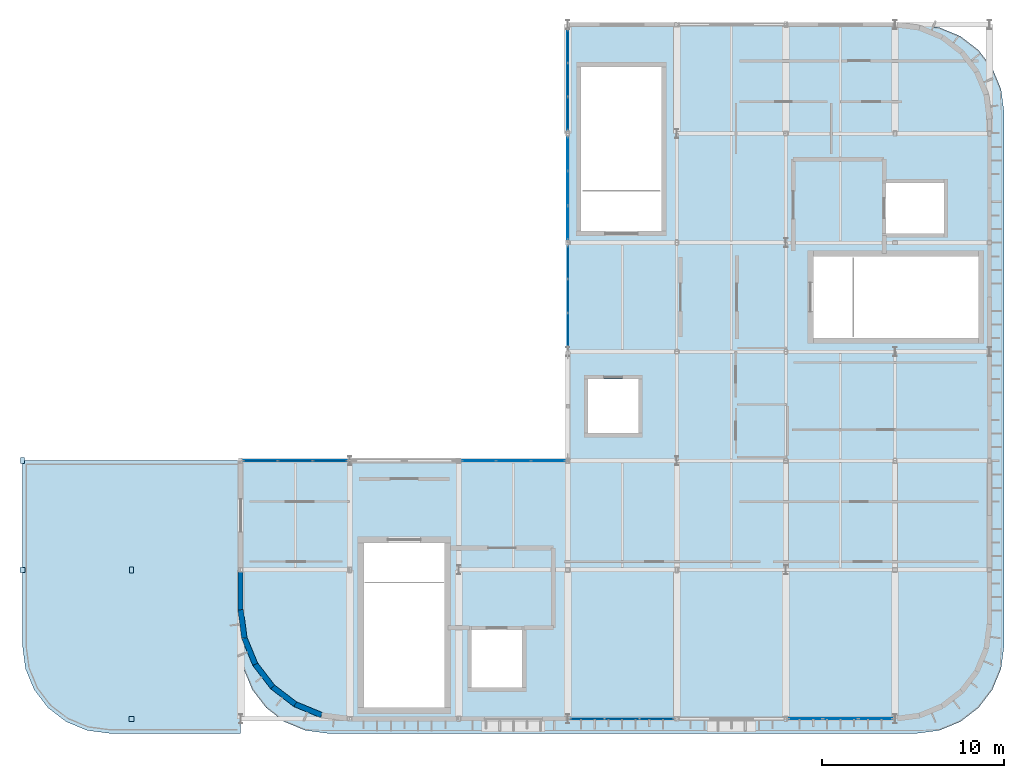
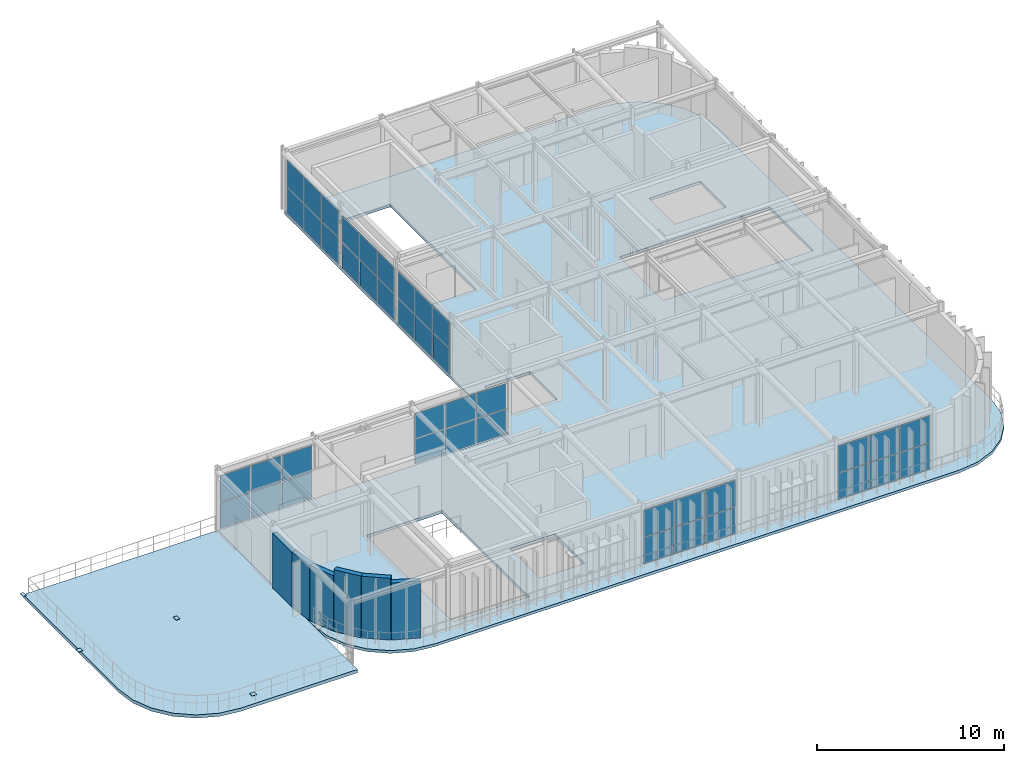
# One storey, part 7 of 14: 46 plates, 6 walls, 2 slabs, 7 elements without a shape of their own.
"""IFC4 building model written with IfcOpenShell, lengths in metres."""

from ifc_helpers import new_model, si_unit, direction, frame, frame_2d, origin, origin_2d, place, context, subcontext, project, spatial, polyline, rectangle, outline, extrude, material, layer, layer_set, type_object, element, aggregate, save


model = new_model("IFC4")

# Units and contexts
model_context = context("Model", 3, precision=1e-05, world=origin(), true_north=direction((0.0, 1.0)))
body_context = subcontext(model_context, "Body", "Model", "MODEL_VIEW")
ifc_project = project(units=[si_unit("LENGTHUNIT", "METRE"), si_unit("AREAUNIT", "SQUARE_METRE"), si_unit("VOLUMEUNIT", "CUBIC_METRE"), si_unit("PLANEANGLEUNIT", "RADIAN"), si_unit("MASSUNIT", "GRAM", prefix="KILO")], contexts=[model_context])

# Site, building, storey
site_placement = place(None, origin())
site = spatial("IfcSite", under=ifc_project, at=site_placement, CompositionType="ELEMENT")
building_placement = place(site_placement, origin())
building = spatial("IfcBuilding", under=site, at=building_placement, Name="Varnakota Square Police Headquarters", CompositionType="ELEMENT")
storey_placement = place(building_placement, frame((0.0, 0.0, 30.0)))
storey = spatial("IfcBuildingStorey", under=building, at=storey_placement, Name="L07", CompositionType="ELEMENT", Elevation=30.0)

# Curtain wall, plates
ifc_material_1 = material(Name="Anodised Aluminium Framing", Category="aluminium")
curtain_wall_type_1 = type_object("IfcCurtainWallType", Name="CW-SYS-D", PredefinedType="NOTDEFINED", material=ifc_material_1)
curtain_wall_1_placement = place(storey_placement, origin())
curtain_wall_1 = element("IfcCurtainWall", 1, at=curtain_wall_1_placement, inside=storey, type_object=curtain_wall_type_1, Name="Unitised curtain wall CWG-L07-123", PredefinedType="NOTDEFINED")
ifc_material_2 = material(Name="Solar-Control Laminated Double Glazing", Category="glass")
ifc_layer_1 = layer(ifc_material_2, 0.028076171875, Name="Solar-Control Laminated Double Glazing")
ifc_layer_set_1 = layer_set([ifc_layer_1], Name="Solar-Control Laminated Double Glazing")
plate_type_1 = type_object("IfcPlateType", Name="CWP-GLZ-28", PredefinedType="CURTAIN_PANEL", material=ifc_layer_set_1)
plate_1_placement = place(storey_placement, frame((133.107177734375, 15.0, 0.06494140625), z_axis=(0.0, 0.0, 1.0), x_axis=(1.0, 0.0, 0.0)))
plate_1 = element("IfcPlate", 2, at=plate_1_placement, type_object=plate_type_1, Name="CWG-L07-123 panel 1.1", PredefinedType="CURTAIN_PANEL", context=body_context, shape_type="SweptSolid", body=[
    extrude(rectangle(XDim=1.82421875, YDim=0.028076171875, at=origin_2d()), origin(), (0.0, 0.0, 1.0), 1.617431640625),
])
plate_2_placement = place(storey_placement, frame((135.012451171875, 15.0, 0.06494140625), z_axis=(0.0, 0.0, 1.0), x_axis=(1.0, 0.0, 0.0)))
plate_2 = element("IfcPlate", 3, at=plate_2_placement, type_object=plate_type_1, Name="CWG-L07-123 panel 2.1", PredefinedType="CURTAIN_PANEL", context=body_context, shape_type="SweptSolid", body=[
    extrude(rectangle(XDim=1.856689453125, YDim=0.028076171875, at=origin_2d()), origin(), (0.0, 0.0, 1.0), 1.617431640625),
])
plate_3_placement = place(storey_placement, frame((136.91796875, 15.0, 0.06494140625), z_axis=(0.0, 0.0, 1.0), x_axis=(1.0, 0.0, 0.0)))
plate_3 = element("IfcPlate", 4, at=plate_3_placement, type_object=plate_type_1, Name="CWG-L07-123 panel 3.1", PredefinedType="CURTAIN_PANEL", context=body_context, shape_type="SweptSolid", body=[
    extrude(rectangle(XDim=1.82421875, YDim=0.028076171875, at=origin_2d()), origin(), (0.0, 0.0, 1.0), 1.617431640625),
])

curtain_wall_type_2 = type_object("IfcCurtainWallType", Name="CW-SYS-F", PredefinedType="NOTDEFINED", material=ifc_material_1)
curtain_wall_2_placement = place(storey_placement, origin())
curtain_wall_2 = element("IfcCurtainWall", 5, at=curtain_wall_2_placement, inside=storey, type_object=curtain_wall_type_2, Name="Unitised curtain wall CWG-L07-120", PredefinedType="NOTDEFINED")
ifc_material_3 = material(Name="Acoustic Laminated Double Glazing", Category="glass")
ifc_layer_2 = layer(ifc_material_3, 0.031982421875, Name="Acoustic Laminated Double Glazing")
ifc_layer_set_2 = layer_set([ifc_layer_2], Name="Acoustic Laminated Double Glazing")
plate_type_2 = type_object("IfcPlateType", Name="CWP-GLZ-32", PredefinedType="CURTAIN_PANEL", material=ifc_layer_set_2)
plate_4_placement = place(storey_placement, frame((139.07373046875, 0.800048828125, 0.06494140625), z_axis=(0.0, 0.0, 1.0), x_axis=(1.0, 0.0, 0.0)))
plate_4 = element("IfcPlate", 6, at=plate_4_placement, type_object=plate_type_2, Name="CWG-L07-120 panel 1.1", PredefinedType="CURTAIN_PANEL", context=body_context, shape_type="SweptSolid", body=[
    extrude(rectangle(XDim=1.827392578125, YDim=0.031982421875, at=origin_2d()), origin(), (0.0, 0.0, 1.0), 1.71435546875),
])
plate_5_placement = place(storey_placement, frame((140.982421875, 0.800048828125, 0.06494140625), z_axis=(0.0, 0.0, 1.0), x_axis=(1.0, 0.0, 0.0)))
plate_5 = element("IfcPlate", 7, at=plate_5_placement, type_object=plate_type_2, Name="CWG-L07-120 panel 2.1", PredefinedType="CURTAIN_PANEL", context=body_context, shape_type="SweptSolid", body=[
    extrude(rectangle(XDim=1.860107421875, YDim=0.031982421875, at=origin_2d()), origin(), (0.0, 0.0, 1.0), 1.71435546875),
])
plate_6_placement = place(storey_placement, frame((142.891357421875, 0.800048828125, 0.06494140625), z_axis=(0.0, 0.0, 1.0), x_axis=(1.0, 0.0, 0.0)))
plate_6 = element("IfcPlate", 8, at=plate_6_placement, type_object=plate_type_2, Name="CWG-L07-120 panel 3.1", PredefinedType="CURTAIN_PANEL", context=body_context, shape_type="SweptSolid", body=[
    extrude(rectangle(XDim=1.827392578125, YDim=0.031982421875, at=origin_2d()), origin(), (0.0, 0.0, 1.0), 1.71435546875),
])

curtain_wall_type_3 = type_object("IfcCurtainWallType", Name="CW-SYS-E", PredefinedType="NOTDEFINED", material=ifc_material_1)
curtain_wall_3_placement = place(storey_placement, origin())
curtain_wall_3 = element("IfcCurtainWall", 9, at=curtain_wall_3_placement, inside=storey, type_object=curtain_wall_type_3, Name="Unitised curtain wall CWG-L07-124", PredefinedType="NOTDEFINED")
plate_7_placement = place(storey_placement, frame((138.0, 22.20703125, 0.06494140625), z_axis=(0.0, 0.0, 1.0), x_axis=(0.0, 1.0, 0.0)))
plate_7 = element("IfcPlate", 10, at=plate_7_placement, type_object=plate_type_2, Name="CWG-L07-124 panel 1.1", PredefinedType="CURTAIN_PANEL", context=body_context, shape_type="SweptSolid", body=[
    extrude(rectangle(XDim=1.774169921875, YDim=0.031982421875, at=origin_2d()), origin(), (0.0, 0.0, 1.0), 1.66748046875),
])
plate_8_placement = place(storey_placement, frame((138.0, 24.0625, 0.06494140625), z_axis=(0.0, 0.0, 1.0), x_axis=(0.0, 1.0, 0.0)))
plate_8 = element("IfcPlate", 11, at=plate_8_placement, type_object=plate_type_2, Name="CWG-L07-124 panel 2.1", PredefinedType="CURTAIN_PANEL", context=body_context, shape_type="SweptSolid", body=[
    extrude(rectangle(XDim=1.806640625, YDim=0.031982421875, at=origin_2d()), origin(), (0.0, 0.0, 1.0), 1.66748046875),
])
plate_9_placement = place(storey_placement, frame((138.0, 25.91796875, 0.06494140625), z_axis=(0.0, 0.0, 1.0), x_axis=(0.0, 1.0, 0.0)))
plate_9 = element("IfcPlate", 12, at=plate_9_placement, type_object=plate_type_2, Name="CWG-L07-124 panel 3.1", PredefinedType="CURTAIN_PANEL", context=body_context, shape_type="SweptSolid", body=[
    extrude(rectangle(XDim=1.774169921875, YDim=0.031982421875, at=origin_2d()), origin(), (0.0, 0.0, 1.0), 1.66748046875),
])

curtain_wall_4_placement = place(storey_placement, origin())
curtain_wall_4 = element("IfcCurtainWall", 13, at=curtain_wall_4_placement, inside=storey, type_object=curtain_wall_type_2, Name="Unitised curtain wall CWG-L07-121", PredefinedType="NOTDEFINED")
ifc_material_4 = material(Name="Blast-Resistant Laminated Glazing", Category="glass")
ifc_layer_3 = layer(ifc_material_4, 0.035888671875, Name="Blast-Resistant Laminated Glazing")
ifc_layer_set_3 = layer_set([ifc_layer_3], Name="Blast-Resistant Laminated Glazing")
plate_type_3 = type_object("IfcPlateType", Name="CWP-GLZ-36", PredefinedType="CURTAIN_PANEL", material=ifc_layer_set_3)
plate_10_placement = place(storey_placement, frame((151.087890625, 0.800048828125, 0.06494140625), z_axis=(0.0, 0.0, 1.0), x_axis=(1.0, 0.0, 0.0)))
plate_10 = element("IfcPlate", 14, at=plate_10_placement, type_object=plate_type_3, Name="CWG-L07-121 panel 1.1", PredefinedType="CURTAIN_PANEL", context=body_context, shape_type="SweptSolid", body=[
    extrude(rectangle(XDim=1.8359375, YDim=0.035888671875, at=origin_2d()), origin(), (0.0, 0.0, 1.0), 1.71435546875),
])
plate_11_placement = place(storey_placement, frame((153.0048828125, 0.800048828125, 0.06494140625), z_axis=(0.0, 0.0, 1.0), x_axis=(1.0, 0.0, 0.0)))
plate_11 = element("IfcPlate", 15, at=plate_11_placement, type_object=plate_type_3, Name="CWG-L07-121 panel 2.1", PredefinedType="CURTAIN_PANEL", context=body_context, shape_type="SweptSolid", body=[
    extrude(rectangle(XDim=1.868408203125, YDim=0.035888671875, at=origin_2d()), origin(), (0.0, 0.0, 1.0), 1.71435546875),
])
plate_12_placement = place(storey_placement, frame((154.922119140625, 0.800048828125, 0.06494140625), z_axis=(0.0, 0.0, 1.0), x_axis=(1.0, 0.0, 0.0)))
plate_12 = element("IfcPlate", 16, at=plate_12_placement, type_object=plate_type_3, Name="CWG-L07-121 panel 3.1", PredefinedType="CURTAIN_PANEL", context=body_context, shape_type="SweptSolid", body=[
    extrude(rectangle(XDim=1.8359375, YDim=0.035888671875, at=origin_2d()), origin(), (0.0, 0.0, 1.0), 1.71435546875),
])

curtain_wall_5_placement = place(storey_placement, origin())
curtain_wall_5 = element("IfcCurtainWall", 17, at=curtain_wall_5_placement, inside=storey, type_object=curtain_wall_type_3, Name="Unitised curtain wall CWG-L07-125", PredefinedType="NOTDEFINED")
plate_13_placement = place(storey_placement, frame((138.0, 28.0986328125, 0.06494140625), z_axis=(0.0, 0.0, 1.0), x_axis=(0.0, 1.0, 0.0)))
plate_13 = element("IfcPlate", 18, at=plate_13_placement, type_object=plate_type_3, Name="CWG-L07-125 panel 1.1", PredefinedType="CURTAIN_PANEL", context=body_context, shape_type="SweptSolid", body=[
    extrude(rectangle(XDim=1.8076171875, YDim=0.035888671875, at=origin_2d()), origin(), (0.0, 0.0, 1.0), 1.66748046875),
])
plate_14_placement = place(storey_placement, frame((138.0, 29.987548828125, 0.06494140625), z_axis=(0.0, 0.0, 1.0), x_axis=(0.0, 1.0, 0.0)))
plate_14 = element("IfcPlate", 19, at=plate_14_placement, type_object=plate_type_3, Name="CWG-L07-125 panel 2.1", PredefinedType="CURTAIN_PANEL", context=body_context, shape_type="SweptSolid", body=[
    extrude(rectangle(XDim=1.840087890625, YDim=0.035888671875, at=origin_2d()), origin(), (0.0, 0.0, 1.0), 1.66748046875),
])
plate_15_placement = place(storey_placement, frame((138.0, 31.876220703125, 0.06494140625), z_axis=(0.0, 0.0, 1.0), x_axis=(0.0, 1.0, 0.0)))
plate_15 = element("IfcPlate", 20, at=plate_15_placement, type_object=plate_type_3, Name="CWG-L07-125 panel 3.1", PredefinedType="CURTAIN_PANEL", context=body_context, shape_type="SweptSolid", body=[
    extrude(rectangle(XDim=1.8076171875, YDim=0.035888671875, at=origin_2d()), origin(), (0.0, 0.0, 1.0), 1.66748046875),
])

curtain_wall_6_placement = place(storey_placement, origin())
curtain_wall_6 = element("IfcCurtainWall", 21, at=curtain_wall_6_placement, inside=storey, type_object=curtain_wall_type_1, Name="Unitised curtain wall CWG-L07-122", PredefinedType="NOTDEFINED")
ifc_material_5 = material(Name="Triple-Glazed Clean-Lab Vision Unit", Category="aluminium")
ifc_layer_4 = layer(ifc_material_5, 0.0419921875, Name="Triple-Glazed Clean-Lab Vision Unit")
ifc_layer_set_4 = layer_set([ifc_layer_4], Name="Triple-Glazed Clean-Lab Vision Unit")
plate_type_4 = type_object("IfcPlateType", Name="CWP-GLZ-42", PredefinedType="CURTAIN_PANEL", material=ifc_layer_set_4)
plate_16_placement = place(storey_placement, frame((121.087890625, 15.0, 0.06494140625), z_axis=(0.0, 0.0, 1.0), x_axis=(1.0, 0.0, 0.0)))
plate_16 = element("IfcPlate", 22, at=plate_16_placement, type_object=plate_type_4, Name="CWG-L07-122 panel 1.1", PredefinedType="CURTAIN_PANEL", context=body_context, shape_type="SweptSolid", body=[
    extrude(rectangle(XDim=1.8359375, YDim=0.0419921875, at=origin_2d()), origin(), (0.0, 0.0, 1.0), 1.6923828125),
])
plate_17_placement = place(storey_placement, frame((123.0048828125, 15.0, 0.06494140625), z_axis=(0.0, 0.0, 1.0), x_axis=(1.0, 0.0, 0.0)))
plate_17 = element("IfcPlate", 23, at=plate_17_placement, type_object=plate_type_4, Name="CWG-L07-122 panel 2.1", PredefinedType="CURTAIN_PANEL", context=body_context, shape_type="SweptSolid", body=[
    extrude(rectangle(XDim=1.868408203125, YDim=0.0419921875, at=origin_2d()), origin(), (0.0, 0.0, 1.0), 1.6923828125),
])
plate_18_placement = place(storey_placement, frame((124.922119140625, 15.0, 0.06494140625), z_axis=(0.0, 0.0, 1.0), x_axis=(1.0, 0.0, 0.0)))
plate_18 = element("IfcPlate", 24, at=plate_18_placement, type_object=plate_type_4, Name="CWG-L07-122 panel 3.1", PredefinedType="CURTAIN_PANEL", context=body_context, shape_type="SweptSolid", body=[
    extrude(rectangle(XDim=1.8359375, YDim=0.0419921875, at=origin_2d()), origin(), (0.0, 0.0, 1.0), 1.6923828125),
])

curtain_wall_7_placement = place(storey_placement, origin())
curtain_wall_7 = element("IfcCurtainWall", 25, at=curtain_wall_7_placement, inside=storey, type_object=curtain_wall_type_3, Name="Unitised curtain wall CWG-L07-126", PredefinedType="NOTDEFINED")
plate_19_placement = place(storey_placement, frame((138.0, 34.10302734375, 0.06494140625), z_axis=(0.0, 0.0, 1.0), x_axis=(0.0, 1.0, 0.0)))
plate_19 = element("IfcPlate", 26, at=plate_19_placement, type_object=plate_type_4, Name="CWG-L07-126 panel 1.1", PredefinedType="CURTAIN_PANEL", context=body_context, shape_type="SweptSolid", body=[
    extrude(rectangle(XDim=1.765869140625, YDim=0.0419921875, at=origin_2d()), origin(), (0.0, 0.0, 1.0), 1.71435546875),
])
plate_20_placement = place(storey_placement, frame((138.0, 35.949951171875, 0.06494140625), z_axis=(0.0, 0.0, 1.0), x_axis=(0.0, 1.0, 0.0)))
plate_20 = element("IfcPlate", 27, at=plate_20_placement, type_object=plate_type_4, Name="CWG-L07-126 panel 2.1", PredefinedType="CURTAIN_PANEL", context=body_context, shape_type="SweptSolid", body=[
    extrude(rectangle(XDim=1.79833984375, YDim=0.0419921875, at=origin_2d()), origin(), (0.0, 0.0, 1.0), 1.71435546875),
])
plate_21_placement = place(storey_placement, frame((138.0, 37.797119140625, 0.06494140625), z_axis=(0.0, 0.0, 1.0), x_axis=(0.0, 1.0, 0.0)))
plate_21 = element("IfcPlate", 28, at=plate_21_placement, type_object=plate_type_4, Name="CWG-L07-126 panel 3.1", PredefinedType="CURTAIN_PANEL", context=body_context, shape_type="SweptSolid", body=[
    extrude(rectangle(XDim=1.765869140625, YDim=0.0419921875, at=origin_2d()), origin(), (0.0, 0.0, 1.0), 1.71435546875),
])

# Plate
ifc_material_6 = material(Name="Insulated Anodised Aluminium Spandrel Panel", Category="aluminium")
ifc_layer_5 = layer(ifc_material_6, 0.050048828125, Name="Insulated Anodised Aluminium Spandrel Panel")
ifc_layer_set_5 = layer_set([ifc_layer_5], Name="Insulated Anodised Aluminium Spandrel Panel")
plate_type_5 = type_object("IfcPlateType", Name="CWP-SPN-50", PredefinedType="CURTAIN_PANEL", material=ifc_layer_set_5)
plate_22_placement = place(storey_placement, frame((151.087890625, 0.800048828125, 1.84423828125), z_axis=(0.0, 0.0, 1.0), x_axis=(1.0, 0.0, 0.0)))
plate_22 = element("IfcPlate", 29, at=plate_22_placement, type_object=plate_type_5, Name="CWG-L07-121 panel 1.2", PredefinedType="CURTAIN_PANEL", context=body_context, shape_type="SweptSolid", body=[
    extrude(rectangle(XDim=1.8359375, YDim=0.050048828125, at=origin_2d()), origin(), (0.0, 0.0, 1.0), 1.71435546875),
])

plate_23_placement = place(storey_placement, frame((153.0048828125, 0.800048828125, 1.84423828125), z_axis=(0.0, 0.0, 1.0), x_axis=(1.0, 0.0, 0.0)))
plate_23 = element("IfcPlate", 30, at=plate_23_placement, type_object=plate_type_5, Name="CWG-L07-121 panel 2.2", PredefinedType="CURTAIN_PANEL", context=body_context, shape_type="SweptSolid", body=[
    extrude(rectangle(XDim=1.868408203125, YDim=0.050048828125, at=origin_2d()), origin(), (0.0, 0.0, 1.0), 1.71435546875),
])

plate_24_placement = place(storey_placement, frame((154.922119140625, 0.800048828125, 1.84423828125), z_axis=(0.0, 0.0, 1.0), x_axis=(1.0, 0.0, 0.0)))
plate_24 = element("IfcPlate", 31, at=plate_24_placement, type_object=plate_type_5, Name="CWG-L07-121 panel 3.2", PredefinedType="CURTAIN_PANEL", context=body_context, shape_type="SweptSolid", body=[
    extrude(rectangle(XDim=1.8359375, YDim=0.050048828125, at=origin_2d()), origin(), (0.0, 0.0, 1.0), 1.71435546875),
])

aggregate(curtain_wall_4, [plate_10, plate_22, plate_11, plate_23, plate_12, plate_24])

plate_25_placement = place(storey_placement, frame((133.107177734375, 15.0, 1.74755859375), z_axis=(0.0, 0.0, 1.0), x_axis=(1.0, 0.0, 0.0)))
plate_25 = element("IfcPlate", 32, at=plate_25_placement, type_object=plate_type_5, Name="CWG-L07-123 panel 1.2", PredefinedType="CURTAIN_PANEL", context=body_context, shape_type="SweptSolid", body=[
    extrude(rectangle(XDim=1.82421875, YDim=0.050048828125, at=origin_2d()), origin(), (0.0, 0.0, 1.0), 1.617431640625),
])

plate_26_placement = place(storey_placement, frame((135.012451171875, 15.0, 1.74755859375), z_axis=(0.0, 0.0, 1.0), x_axis=(1.0, 0.0, 0.0)))
plate_26 = element("IfcPlate", 33, at=plate_26_placement, type_object=plate_type_5, Name="CWG-L07-123 panel 2.2", PredefinedType="CURTAIN_PANEL", context=body_context, shape_type="SweptSolid", body=[
    extrude(rectangle(XDim=1.856689453125, YDim=0.050048828125, at=origin_2d()), origin(), (0.0, 0.0, 1.0), 1.617431640625),
])

plate_27_placement = place(storey_placement, frame((136.91796875, 15.0, 1.74755859375), z_axis=(0.0, 0.0, 1.0), x_axis=(1.0, 0.0, 0.0)))
plate_27 = element("IfcPlate", 34, at=plate_27_placement, type_object=plate_type_5, Name="CWG-L07-123 panel 3.2", PredefinedType="CURTAIN_PANEL", context=body_context, shape_type="SweptSolid", body=[
    extrude(rectangle(XDim=1.82421875, YDim=0.050048828125, at=origin_2d()), origin(), (0.0, 0.0, 1.0), 1.617431640625),
])

aggregate(curtain_wall_1, [plate_1, plate_25, plate_2, plate_26, plate_3, plate_27])

plate_28_placement = place(storey_placement, frame((138.0, 28.0986328125, 1.797607421875), z_axis=(0.0, 0.0, 1.0), x_axis=(0.0, 1.0, 0.0)))
plate_28 = element("IfcPlate", 35, at=plate_28_placement, type_object=plate_type_5, Name="CWG-L07-125 panel 1.2", PredefinedType="CURTAIN_PANEL", context=body_context, shape_type="SweptSolid", body=[
    extrude(rectangle(XDim=1.8076171875, YDim=0.050048828125, at=origin_2d()), origin(), (0.0, 0.0, 1.0), 1.66748046875),
])

plate_29_placement = place(storey_placement, frame((138.0, 29.987548828125, 1.797607421875), z_axis=(0.0, 0.0, 1.0), x_axis=(0.0, 1.0, 0.0)))
plate_29 = element("IfcPlate", 36, at=plate_29_placement, type_object=plate_type_5, Name="CWG-L07-125 panel 2.2", PredefinedType="CURTAIN_PANEL", context=body_context, shape_type="SweptSolid", body=[
    extrude(rectangle(XDim=1.840087890625, YDim=0.050048828125, at=origin_2d()), origin(), (0.0, 0.0, 1.0), 1.66748046875),
])

plate_30_placement = place(storey_placement, frame((138.0, 31.876220703125, 1.797607421875), z_axis=(0.0, 0.0, 1.0), x_axis=(0.0, 1.0, 0.0)))
plate_30 = element("IfcPlate", 37, at=plate_30_placement, type_object=plate_type_5, Name="CWG-L07-125 panel 3.2", PredefinedType="CURTAIN_PANEL", context=body_context, shape_type="SweptSolid", body=[
    extrude(rectangle(XDim=1.8076171875, YDim=0.050048828125, at=origin_2d()), origin(), (0.0, 0.0, 1.0), 1.66748046875),
])

aggregate(curtain_wall_5, [plate_13, plate_28, plate_14, plate_29, plate_15, plate_30])

ifc_material_7 = material(Name="Fire-Stopped Mineral-Wool Spandrel Panel", Category="aluminium")
ifc_layer_6 = layer(ifc_material_7, 0.06005859375, Name="Fire-Stopped Mineral-Wool Spandrel Panel")
ifc_layer_set_6 = layer_set([ifc_layer_6], Name="Fire-Stopped Mineral-Wool Spandrel Panel")
plate_type_6 = type_object("IfcPlateType", Name="CWP-SPN-60", PredefinedType="CURTAIN_PANEL", material=ifc_layer_set_6)
plate_31_placement = place(storey_placement, frame((139.07373046875, 0.800048828125, 1.84423828125), z_axis=(0.0, 0.0, 1.0), x_axis=(1.0, 0.0, 0.0)))
plate_31 = element("IfcPlate", 38, at=plate_31_placement, type_object=plate_type_6, Name="CWG-L07-120 panel 1.2", PredefinedType="CURTAIN_PANEL", context=body_context, shape_type="SweptSolid", body=[
    extrude(rectangle(XDim=1.827392578125, YDim=0.06005859375, at=origin_2d()), origin(), (0.0, 0.0, 1.0), 1.71435546875),
])

plate_32_placement = place(storey_placement, frame((140.982421875, 0.800048828125, 1.84423828125), z_axis=(0.0, 0.0, 1.0), x_axis=(1.0, 0.0, 0.0)))
plate_32 = element("IfcPlate", 39, at=plate_32_placement, type_object=plate_type_6, Name="CWG-L07-120 panel 2.2", PredefinedType="CURTAIN_PANEL", context=body_context, shape_type="SweptSolid", body=[
    extrude(rectangle(XDim=1.860107421875, YDim=0.06005859375, at=origin_2d()), origin(), (0.0, 0.0, 1.0), 1.71435546875),
])

plate_33_placement = place(storey_placement, frame((142.891357421875, 0.800048828125, 1.84423828125), z_axis=(0.0, 0.0, 1.0), x_axis=(1.0, 0.0, 0.0)))
plate_33 = element("IfcPlate", 40, at=plate_33_placement, type_object=plate_type_6, Name="CWG-L07-120 panel 3.2", PredefinedType="CURTAIN_PANEL", context=body_context, shape_type="SweptSolid", body=[
    extrude(rectangle(XDim=1.827392578125, YDim=0.06005859375, at=origin_2d()), origin(), (0.0, 0.0, 1.0), 1.71435546875),
])

aggregate(curtain_wall_2, [plate_4, plate_31, plate_5, plate_32, plate_6, plate_33])

plate_34_placement = place(storey_placement, frame((121.087890625, 15.0, 1.822509765625), z_axis=(0.0, 0.0, 1.0), x_axis=(1.0, 0.0, 0.0)))
plate_34 = element("IfcPlate", 41, at=plate_34_placement, type_object=plate_type_6, Name="CWG-L07-122 panel 1.2", PredefinedType="CURTAIN_PANEL", context=body_context, shape_type="SweptSolid", body=[
    extrude(rectangle(XDim=1.8359375, YDim=0.06005859375, at=origin_2d()), origin(), (0.0, 0.0, 1.0), 1.6923828125),
])

plate_35_placement = place(storey_placement, frame((123.0048828125, 15.0, 1.822509765625), z_axis=(0.0, 0.0, 1.0), x_axis=(1.0, 0.0, 0.0)))
plate_35 = element("IfcPlate", 42, at=plate_35_placement, type_object=plate_type_6, Name="CWG-L07-122 panel 2.2", PredefinedType="CURTAIN_PANEL", context=body_context, shape_type="SweptSolid", body=[
    extrude(rectangle(XDim=1.868408203125, YDim=0.06005859375, at=origin_2d()), origin(), (0.0, 0.0, 1.0), 1.6923828125),
])

plate_36_placement = place(storey_placement, frame((124.922119140625, 15.0, 1.822509765625), z_axis=(0.0, 0.0, 1.0), x_axis=(1.0, 0.0, 0.0)))
plate_36 = element("IfcPlate", 43, at=plate_36_placement, type_object=plate_type_6, Name="CWG-L07-122 panel 3.2", PredefinedType="CURTAIN_PANEL", context=body_context, shape_type="SweptSolid", body=[
    extrude(rectangle(XDim=1.8359375, YDim=0.06005859375, at=origin_2d()), origin(), (0.0, 0.0, 1.0), 1.6923828125),
])

aggregate(curtain_wall_6, [plate_16, plate_34, plate_17, plate_35, plate_18, plate_36])

plate_37_placement = place(storey_placement, frame((138.0, 22.20703125, 1.797607421875), z_axis=(0.0, 0.0, 1.0), x_axis=(0.0, 1.0, 0.0)))
plate_37 = element("IfcPlate", 44, at=plate_37_placement, type_object=plate_type_6, Name="CWG-L07-124 panel 1.2", PredefinedType="CURTAIN_PANEL", context=body_context, shape_type="SweptSolid", body=[
    extrude(rectangle(XDim=1.774169921875, YDim=0.06005859375, at=origin_2d()), origin(), (0.0, 0.0, 1.0), 1.66748046875),
])

plate_38_placement = place(storey_placement, frame((138.0, 24.0625, 1.797607421875), z_axis=(0.0, 0.0, 1.0), x_axis=(0.0, 1.0, 0.0)))
plate_38 = element("IfcPlate", 45, at=plate_38_placement, type_object=plate_type_6, Name="CWG-L07-124 panel 2.2", PredefinedType="CURTAIN_PANEL", context=body_context, shape_type="SweptSolid", body=[
    extrude(rectangle(XDim=1.806640625, YDim=0.06005859375, at=origin_2d()), origin(), (0.0, 0.0, 1.0), 1.66748046875),
])

plate_39_placement = place(storey_placement, frame((138.0, 25.91796875, 1.797607421875), z_axis=(0.0, 0.0, 1.0), x_axis=(0.0, 1.0, 0.0)))
plate_39 = element("IfcPlate", 46, at=plate_39_placement, type_object=plate_type_6, Name="CWG-L07-124 panel 3.2", PredefinedType="CURTAIN_PANEL", context=body_context, shape_type="SweptSolid", body=[
    extrude(rectangle(XDim=1.774169921875, YDim=0.06005859375, at=origin_2d()), origin(), (0.0, 0.0, 1.0), 1.66748046875),
])

aggregate(curtain_wall_3, [plate_7, plate_37, plate_8, plate_38, plate_9, plate_39])

plate_40_placement = place(storey_placement, frame((138.0, 34.10302734375, 1.84423828125), z_axis=(0.0, 0.0, 1.0), x_axis=(0.0, 1.0, 0.0)))
plate_40 = element("IfcPlate", 47, at=plate_40_placement, type_object=plate_type_6, Name="CWG-L07-126 panel 1.2", PredefinedType="CURTAIN_PANEL", context=body_context, shape_type="SweptSolid", body=[
    extrude(rectangle(XDim=1.765869140625, YDim=0.06005859375, at=origin_2d()), origin(), (0.0, 0.0, 1.0), 1.71435546875),
])

plate_41_placement = place(storey_placement, frame((138.0, 35.949951171875, 1.84423828125), z_axis=(0.0, 0.0, 1.0), x_axis=(0.0, 1.0, 0.0)))
plate_41 = element("IfcPlate", 48, at=plate_41_placement, type_object=plate_type_6, Name="CWG-L07-126 panel 2.2", PredefinedType="CURTAIN_PANEL", context=body_context, shape_type="SweptSolid", body=[
    extrude(rectangle(XDim=1.79833984375, YDim=0.06005859375, at=origin_2d()), origin(), (0.0, 0.0, 1.0), 1.71435546875),
])

plate_42_placement = place(storey_placement, frame((138.0, 37.797119140625, 1.84423828125), z_axis=(0.0, 0.0, 1.0), x_axis=(0.0, 1.0, 0.0)))
plate_42 = element("IfcPlate", 49, at=plate_42_placement, type_object=plate_type_6, Name="CWG-L07-126 panel 3.2", PredefinedType="CURTAIN_PANEL", context=body_context, shape_type="SweptSolid", body=[
    extrude(rectangle(XDim=1.765869140625, YDim=0.06005859375, at=origin_2d()), origin(), (0.0, 0.0, 1.0), 1.71435546875),
])

aggregate(curtain_wall_7, [plate_19, plate_40, plate_20, plate_41, plate_21, plate_42])

# Plates
ifc_material_8 = material(Name="Steel IS 2062 Grade 350", Category="steel")
ifc_layer_7 = layer(ifc_material_8, 0.01611328125, Name="Steel IS 2062 Grade 350")
ifc_layer_set_7 = layer_set([ifc_layer_7], Name="Steel IS 2062 Grade 350")
plate_type_7 = type_object("IfcPlateType", Name="PL-CAP-16", PredefinedType="SHEET", material=ifc_layer_set_7)
plate_43_placement = place(storey_placement, frame((108.0, 9.0, -0.001953125), z_axis=(0.0, 0.0, 1.0), x_axis=(1.0, 0.0, 0.0)))
element("IfcPlate", 50, at=plate_43_placement, inside=storey, type_object=plate_type_7, Name="Hollow column top cap plate CP-COL-X1080-Y0090", PredefinedType="SHEET", context=body_context, shape_type="SweptSolid", body=[
    extrude(rectangle(XDim=0.280029296875, YDim=0.280029296875, at=origin_2d()), origin(), (0.0, 0.0, 1.0), 0.01611328125),
])
plate_44_placement = place(storey_placement, frame((108.0, 15.0, -0.001953125), z_axis=(0.0, 0.0, 1.0), x_axis=(1.0, 0.0, 0.0)))
element("IfcPlate", 51, at=plate_44_placement, inside=storey, type_object=plate_type_7, Name="Hollow column top cap plate CP-COL-X1080-Y0150", PredefinedType="SHEET", context=body_context, shape_type="SweptSolid", body=[
    extrude(rectangle(XDim=0.22998046875, YDim=0.330078125, at=origin_2d()), origin(), (0.0, 0.0, 1.0), 0.01611328125),
])
plate_45_placement = place(storey_placement, frame((114.0, 0.800048828125, -0.001953125), z_axis=(0.0, 0.0, 1.0), x_axis=(1.0, 0.0, 0.0)))
element("IfcPlate", 52, at=plate_45_placement, inside=storey, type_object=plate_type_7, Name="Hollow column top cap plate CP-COL-X1140-Y0008", PredefinedType="SHEET", context=body_context, shape_type="SweptSolid", body=[
    extrude(rectangle(XDim=0.280029296875, YDim=0.280029296875, at=origin_2d()), origin(), (0.0, 0.0, 1.0), 0.01611328125),
])
plate_46_placement = place(storey_placement, frame((114.0, 9.0, -0.001953125), z_axis=(0.0, 0.0, 1.0), x_axis=(1.0, 0.0, 0.0)))
element("IfcPlate", 53, at=plate_46_placement, inside=storey, type_object=plate_type_7, Name="Hollow column top cap plate CP-COL-X1140-Y0090", PredefinedType="SHEET", context=body_context, shape_type="SweptSolid", body=[
    extrude(rectangle(XDim=0.22998046875, YDim=0.330078125, at=origin_2d()), origin(), (0.0, 0.0, 1.0), 0.01611328125),
])

# Slabs
ifc_material_9 = material(Name="Concrete M40", Category="concrete")
ifc_layer_8 = layer(ifc_material_9, 0.179931640625, Name="Concrete M40")
ifc_layer_set_8 = layer_set([ifc_layer_8], Name="Concrete M40")
slab_type_1 = type_object("IfcSlabType", Name="SL-COMP-180", PredefinedType="FLOOR", material=ifc_layer_set_8)
slab_1_placement = place(storey_placement, frame((0.0, 0.0, -0.179931640625)))
element("IfcSlab", 54, at=slab_1_placement, inside=storey, type_object=slab_type_1, Name="L07 Commissionerate Executive Suite Slab", PredefinedType="FLOOR", context=body_context, shape_type="SweptSolid", body=[
    extrude(outline(polyline([(120.0, 4.800048828125), (120.16357421875, 3.5576171875), (120.64306640625, 2.39990234375), (121.406005859375, 1.406005859375), (122.39990234375, 0.64306640625), (123.5576171875, 0.16357421875), (124.800048828125, 0.0), (157.199951171875, 0.0), (158.4423828125, 0.16357421875), (159.60009765625, 0.64306640625), (160.593994140625, 1.406005859375), (161.35693359375, 2.39990234375), (161.83642578125, 3.5576171875), (162.0, 4.800048828125), (162.0, 34.199951171875), (161.83642578125, 35.4423828125), (161.35693359375, 36.60009765625), (160.593994140625, 37.593994140625), (159.60009765625, 38.35693359375), (158.4423828125, 38.83642578125), (157.199951171875, 39.0), (138.0, 39.0), (138.0, 15.0), (120.0, 15.0), (120.0, 4.800048828125)]), holes=[polyline([(126.655029296875, 1.304931640625), (131.344970703125, 1.304931640625), (131.344970703125, 10.594970703125), (126.655029296875, 10.594970703125), (126.655029296875, 1.304931640625)]), polyline([(132.715087890625, 2.514892578125), (135.485107421875, 2.514892578125), (135.485107421875, 5.68505859375), (132.715087890625, 5.68505859375), (132.715087890625, 2.514892578125)]), polyline([(151.405029296875, 21.655029296875), (160.695068359375, 21.655029296875), (160.695068359375, 26.344970703125), (151.405029296875, 26.344970703125), (151.405029296875, 21.655029296875)]), polyline([(155.514892578125, 27.514892578125), (158.68505859375, 27.514892578125), (158.68505859375, 30.284912109375), (155.514892578125, 30.284912109375), (155.514892578125, 27.514892578125)]), polyline([(138.655029296875, 27.554931640625), (143.2451171875, 27.554931640625), (143.2451171875, 36.7451171875), (138.655029296875, 36.7451171875), (138.655029296875, 27.554931640625)]), polyline([(139.114990234375, 16.514892578125), (141.885009765625, 16.514892578125), (141.885009765625, 19.485107421875), (139.114990234375, 19.485107421875), (139.114990234375, 16.514892578125)])]), origin(), (0.0, 0.0, 1.0), 0.179931640625),
])
ifc_layer_9 = layer(ifc_material_9, 0.2099609375, Name="Concrete M40")
ifc_layer_set_9 = layer_set([ifc_layer_9], Name="Concrete M40")
slab_type_2 = type_object("IfcSlabType", Name="SL-TERR-210", PredefinedType="FLOOR", material=ifc_layer_set_9)
slab_2_placement = place(storey_placement, frame((0.0, 0.0, -0.2099609375)))
element("IfcSlab", 55, at=slab_2_placement, inside=storey, type_object=slab_type_2, Name="L07 Executive Terrace Slab", PredefinedType="FLOOR", context=body_context, shape_type="SweptSolid", body=[
    extrude(outline(polyline([(108.0, 4.800048828125), (108.16357421875, 3.5576171875), (108.64306640625, 2.39990234375), (109.406005859375, 1.406005859375), (110.39990234375, 0.64306640625), (111.5576171875, 0.16357421875), (112.800048828125, 0.0), (120.0, 0.0), (120.0, 15.0), (108.0, 15.0), (108.0, 4.800048828125)])), origin(), (0.0, 0.0, 1.0), 0.2099609375),
])

# Walls
ifc_layer_10 = layer(ifc_material_9, 0.280029296875, Name="Concrete M40")
ifc_layer_set_10 = layer_set([ifc_layer_10], Name="Concrete M40")
wall_type_1 = type_object("IfcWallType", Name="WL-EXT-280", PredefinedType="SOLIDWALL", material=ifc_layer_set_10)
wall_1_placement = place(storey_placement, frame((120.0, 6.800048828125, 0.0), z_axis=(0.0, 0.0, 1.0), x_axis=(0.0, 1.0, 0.0)))
element("IfcWall", 56, at=wall_1_placement, inside=storey, type_object=wall_type_1, Name="Exterior wall EW-L07-0360", PredefinedType="SOLIDWALL", context=body_context, shape_type="SweptSolid", body=[
    extrude(rectangle(XDim=2.071044921875, YDim=0.280029296875, at=frame_2d((1.03564453125, 0.0))), origin(), (0.0, 0.0, 1.0), 3.580078125),
])
ifc_material_10 = material(Name="Precast concrete M40", Category="concrete")
ifc_layer_11 = layer(ifc_material_10, 0.300048828125, Name="Precast concrete M40")
ifc_layer_set_11 = layer_set([ifc_layer_11], Name="Precast concrete M40")
wall_type_2 = type_object("IfcWallType", Name="WL-EXT-300", PredefinedType="SOLIDWALL", material=ifc_layer_set_11)
wall_2_placement = place(storey_placement, frame((120.0, 6.800048828125, 0.0), z_axis=(0.0, 0.0, 1.0), x_axis=(0.130458544462, -0.991453765022, 0.0)))
element("IfcWall", 57, at=wall_2_placement, inside=storey, type_object=wall_type_2, Name="Exterior wall EW-L07-0365", PredefinedType="SOLIDWALL", context=body_context, shape_type="SweptSolid", body=[
    extrude(rectangle(XDim=1.56640625, YDim=0.300048828125, at=frame_2d((0.783203125, 0.0))), origin(), (0.0, 0.0, 1.0), 3.62353515625),
])
wall_3_placement = place(storey_placement, frame((120.204345703125, 5.2470703125, 0.0), z_axis=(0.0, 0.0, 1.0), x_axis=(0.382677606907, -0.923881945474, 0.0)))
element("IfcWall", 58, at=wall_3_placement, inside=storey, type_object=wall_type_2, Name="Exterior wall EW-L07-0366", PredefinedType="SOLIDWALL", context=body_context, shape_type="SweptSolid", body=[
    extrude(rectangle(XDim=1.566162109375, YDim=0.300048828125, at=frame_2d((0.783203125, 0.0))), origin(), (0.0, 0.0, 1.0), 3.62353515625),
])
for number, where, z_axis, x_axis, name in (
    (59, (120.8037109375, 3.800048828125, 0.0), (0.0, 0.0, 1.0), (0.608791411033, -0.793330333374, 0.0), "Exterior wall EW-L07-0367"),
    (60, (121.75732421875, 2.557373046875, 0.0), (0.0, 0.0, 1.0), (0.793330333374, -0.608791411033, 0.0), "Exterior wall EW-L07-0368"),
):
    element("IfcWall", number, at=place(storey_placement, frame(where, z_axis=z_axis, x_axis=x_axis)), inside=storey, type_object=wall_type_2, Name=name, PredefinedType="SOLIDWALL", context=body_context, shape_type="SweptSolid", body=[
        extrude(rectangle(XDim=1.56640625, YDim=0.300048828125, at=frame_2d((0.783203125, 0.0))), origin(), (0.0, 0.0, 1.0), 4.034912109375),
    ])
wall_4_placement = place(storey_placement, frame((123.0, 1.603759765625, 0.0), z_axis=(0.0, 0.0, 1.0), x_axis=(0.923881945474, -0.382677606907, 0.0)))
element("IfcWall", 61, at=wall_4_placement, inside=storey, type_object=wall_type_2, Name="Exterior wall EW-L07-0369", PredefinedType="SOLIDWALL", context=body_context, shape_type="SweptSolid", body=[
    extrude(rectangle(XDim=1.566162109375, YDim=0.300048828125, at=frame_2d((0.783203125, 0.0))), origin(), (0.0, 0.0, 1.0), 3.72998046875),
])

save(model, "model.ifc")
